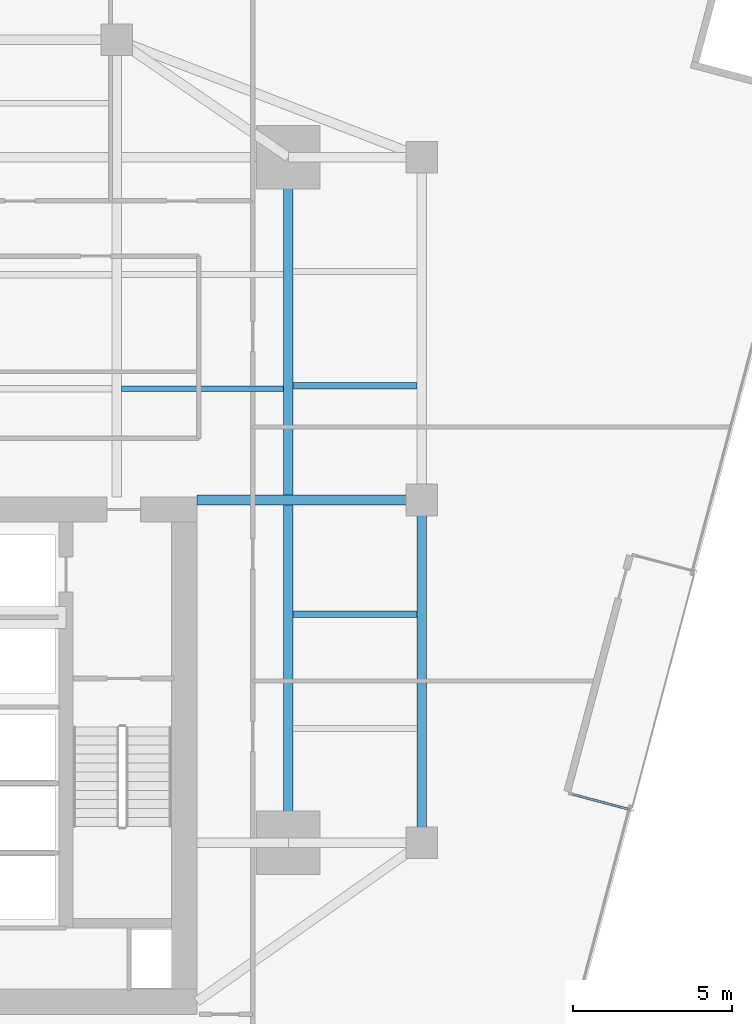
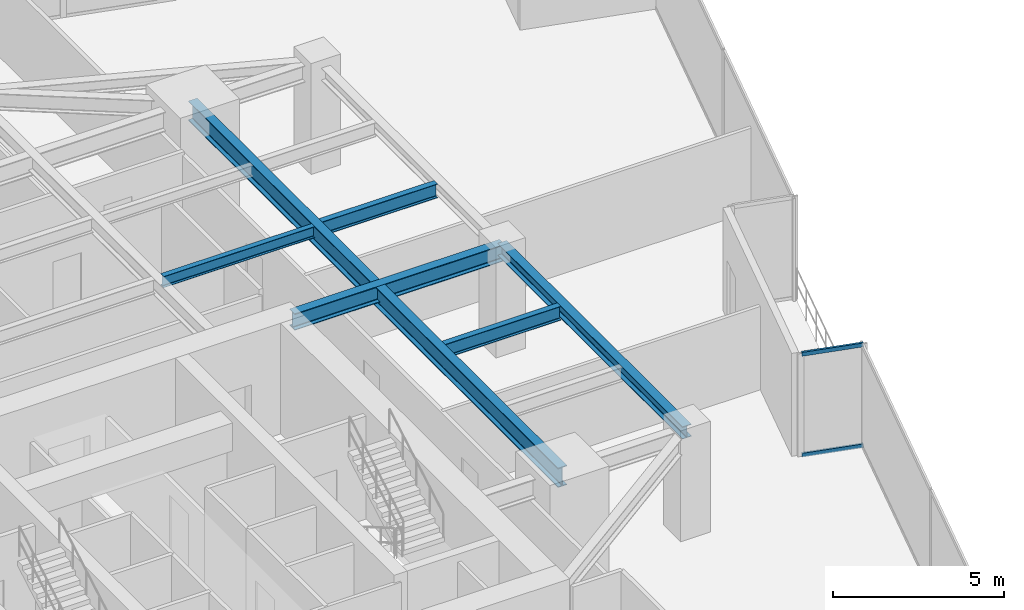
# One storey, part 12 of 27: 6 beams, 2 members, 1 element without a shape of its own.
"""IFC4 building model written with IfcOpenShell, lengths in metres."""

from ifc_helpers import new_model, si_unit, direction, frame, origin, origin_2d, place, context, subcontext, project, spatial, hollow_rectangle, i_section, extrude, source, transform, mapped, material, material_profile, profile_set, type_object, type_shapes, element, aggregate, save


model = new_model("IFC4")

# Units and contexts
model_context = context("Model", 3, precision=1e-05, world=origin(), true_north=direction((0.0, 1.0)))
body_context = subcontext(model_context, "Body", "Model", "MODEL_VIEW")
ifc_project = project(units=[si_unit("LENGTHUNIT", "METRE"), si_unit("AREAUNIT", "SQUARE_METRE"), si_unit("VOLUMEUNIT", "CUBIC_METRE"), si_unit("PLANEANGLEUNIT", "RADIAN"), si_unit("MASSUNIT", "GRAM", prefix="KILO")], contexts=[model_context])

# Site, building, storey
site_placement = place(None, origin())
site = spatial("IfcSite", under=ifc_project, at=site_placement, CompositionType="ELEMENT")
building_placement = place(site_placement, origin())
building = spatial("IfcBuilding", under=site, at=building_placement, Name="Krantzveldt Concourse Tower", CompositionType="ELEMENT")
storey_placement = place(building_placement, frame((0.0, 0.0, 101.89990234375)))
storey = spatial("IfcBuildingStorey", under=building, at=storey_placement, Name="L24", CompositionType="ELEMENT", Elevation=101.89990234375)

# Beams
ifc_material_1 = material(Name="Steel S355J2", Category="steel")
ifc_material_profile_1 = material_profile(ifc_material_1, i_section(OverallWidth=0.300048828125, OverallDepth=0.699951171875, WebThickness=0.01708984375, FlangeThickness=0.031982421875, FilletRadius=0.027099609375, at=origin_2d()), Name="Steel S355J2", Category="steel")
ifc_profile_set_1 = profile_set([ifc_material_profile_1], Name="Steel S355J2 - HEB 700")
beam_type_1 = type_object("IfcBeamType", Name="BM-B-HEB700", PredefinedType="BEAM", material=ifc_profile_set_1)
shared_shape_1 = source(origin(), body_context, "Body", "SweptSolid", [
    extrude(i_section(OverallWidth=0.300048828125, OverallDepth=0.699951171875, WebThickness=0.01708984375, FlangeThickness=0.031982421875, FilletRadius=0.027099609375, at=origin_2d()), origin(), (0.0, 0.0, 1.0), 21.60009765625),
])
type_shapes(beam_type_1, [shared_shape_1])
beam_1_placement = place(storey_placement, frame((46.800048828125, 15.89990234375, 3.320068359375), z_axis=(0.0, 1.0, 0.0), x_axis=(-1.0, 0.0, 0.0)))
element("IfcBeam", 1, at=beam_1_placement, inside=storey, type_object=beam_type_1, Name="L24 Tower Girder BG-ME", PredefinedType="BEAM", context=body_context, shape_type="MappedRepresentation", body=[
    mapped(shared_shape_1, transform((0.0, 0.0, 0.0), x_axis=(1.0, 0.0, 0.0), y_axis=(0.0, 1.0, 0.0), z_axis=(0.0, 0.0, 1.0), scale=1.0)),
])
ifc_material_2 = material(Name="Steel S355JR", Category="steel")
ifc_material_profile_2 = material_profile(ifc_material_2, i_section(OverallWidth=0.300048828125, OverallDepth=0.590087890625, WebThickness=0.012939453125, FlangeThickness=0.02490234375, FilletRadius=0.027099609375, at=origin_2d()), Name="Steel S355JR", Category="steel")
ifc_profile_set_2 = profile_set([ifc_material_profile_2], Name="Steel S355JR - HEA 600")
beam_type_2 = type_object("IfcBeamType", Name="BM-B-HEA600", PredefinedType="BEAM", material=ifc_profile_set_2)
shared_shape_2 = source(origin(), body_context, "Body", "SweptSolid", [
    extrude(i_section(OverallWidth=0.300048828125, OverallDepth=0.590087890625, WebThickness=0.012939453125, FlangeThickness=0.02490234375, FilletRadius=0.027099609375, at=origin_2d()), origin(), (0.0, 0.0, 1.0), 7.080078125),
])
type_shapes(beam_type_2, [shared_shape_2])
beam_2_placement = place(storey_placement, frame((43.919921875, 26.699951171875, 3.375), z_axis=(1.0, 0.0, 0.0), x_axis=(0.0, 1.0, 0.0)))
element("IfcBeam", 2, at=beam_2_placement, inside=storey, type_object=beam_type_2, Name="L24 Tower Girder BG-CE2", PredefinedType="BEAM", context=body_context, shape_type="MappedRepresentation", body=[
    mapped(shared_shape_2, transform((0.0, 0.0, 0.0), x_axis=(1.0, 0.0, 0.0), y_axis=(0.0, 1.0, 0.0), z_axis=(0.0, 0.0, 1.0), scale=1.0)),
])
ifc_material_profile_3 = material_profile(ifc_material_2, i_section(OverallWidth=0.300048828125, OverallDepth=0.43994140625, WebThickness=0.011474609375, FlangeThickness=0.02099609375, FilletRadius=0.027099609375, at=origin_2d()), Name="Steel S355JR", Category="steel")
ifc_profile_set_3 = profile_set([ifc_material_profile_3], Name="Steel S355JR - HEA 450")
beam_type_3 = type_object("IfcBeamType", Name="BM-SP-HEA450", PredefinedType="SPANDREL", material=ifc_profile_set_3)
shared_shape_3 = source(origin(), body_context, "Body", "SweptSolid", [
    extrude(i_section(OverallWidth=0.300048828125, OverallDepth=0.43994140625, WebThickness=0.011474609375, FlangeThickness=0.02099609375, FilletRadius=0.027099609375, at=origin_2d()), origin(), (0.0, 0.0, 1.0), 10.800048828125),
])
type_shapes(beam_type_3, [shared_shape_3])
beam_3_placement = place(storey_placement, frame((51.0, 26.699951171875, 3.4501953125), z_axis=(0.0, -1.0, 0.0), x_axis=(1.0, 0.0, 0.0)))
element("IfcBeam", 3, at=beam_3_placement, inside=storey, type_object=beam_type_3, Name="L24 Tower Girder SP-R07", PredefinedType="SPANDREL", context=body_context, shape_type="MappedRepresentation", body=[
    mapped(shared_shape_3, transform((0.0, 0.0, 0.0), x_axis=(1.0, 0.0, 0.0), y_axis=(0.0, 1.0, 0.0), z_axis=(0.0, 0.0, 1.0), scale=1.0)),
])
ifc_material_profile_4 = material_profile(ifc_material_2, i_section(OverallWidth=0.179931640625, OverallDepth=0.39990234375, WebThickness=0.008544921875, FlangeThickness=0.013427734375, FilletRadius=0.02099609375, at=origin_2d()), Name="Steel S355JR", Category="steel")
ifc_profile_set_4 = profile_set([ifc_material_profile_4], Name="Steel S355JR - IPE 400")
beam_type_4 = type_object("IfcBeamType", Name="BM-J-IPE400", PredefinedType="JOIST", material=ifc_profile_set_4)
shared_shape_4 = source(origin(), body_context, "Body", "SweptSolid", [
    extrude(i_section(OverallWidth=0.179931640625, OverallDepth=0.39990234375, WebThickness=0.008544921875, FlangeThickness=0.013427734375, FilletRadius=0.02099609375, at=origin_2d()), origin(), (0.0, 0.0, 1.0), 5.099853515625),
])
type_shapes(beam_type_4, [shared_shape_4])
beam_4_placement = place(storey_placement, frame((41.550048828125, 30.199951171875, 3.47021484375), z_axis=(1.0, 0.0, 0.0), x_axis=(0.0, 1.0, 0.0)))
element("IfcBeam", 4, at=beam_4_placement, inside=storey, type_object=beam_type_4, Name="L24 Secondary Floor Joist JN-E1", PredefinedType="JOIST", context=body_context, shape_type="MappedRepresentation", body=[
    mapped(shared_shape_4, transform((0.0, 0.0, 0.0), x_axis=(1.0, 0.0, 0.0), y_axis=(0.0, 1.0, 0.0), z_axis=(0.0, 0.0, 1.0), scale=1.0)),
])
ifc_material_profile_5 = material_profile(ifc_material_2, i_section(OverallWidth=0.199951171875, OverallDepth=0.5, WebThickness=0.01025390625, FlangeThickness=0.01611328125, FilletRadius=0.02099609375, at=origin_2d()), Name="Steel S355JR", Category="steel")
ifc_profile_set_5 = profile_set([ifc_material_profile_5], Name="Steel S355JR - IPE 500")
beam_type_5 = type_object("IfcBeamType", Name="BM-J-IPE500", PredefinedType="JOIST", material=ifc_profile_set_5)
shared_shape_5 = source(origin(), body_context, "Body", "SweptSolid", [
    extrude(i_section(OverallWidth=0.199951171875, OverallDepth=0.5, WebThickness=0.01025390625, FlangeThickness=0.01611328125, FilletRadius=0.02099609375, at=origin_2d()), origin(), (0.0, 0.0, 1.0), 3.900146484375),
])
type_shapes(beam_type_5, [shared_shape_5])
for number, where, z_axis, x_axis, name in (
    (5, (46.949951171875, 23.10009765625, 3.420166015625), (1.0, 0.0, 0.0), (0.0, 1.0, 0.0), "L24 Secondary Floor Joist JE-2"),
    (6, (46.949951171875, 30.300048828125, 3.420166015625), (1.0, 0.0, 0.0), (0.0, 1.0, 0.0), "L24 Secondary Floor Joist JE-3"),
):
    element("IfcBeam", number, at=place(storey_placement, frame(where, z_axis=z_axis, x_axis=x_axis)), inside=storey, type_object=beam_type_5, Name=name, PredefinedType="JOIST", context=body_context, shape_type="MappedRepresentation", body=[
        mapped(shared_shape_5, transform((0.0, 0.0, 0.0), x_axis=(1.0, 0.0, 0.0), y_axis=(0.0, 1.0, 0.0), z_axis=(0.0, 0.0, 1.0), scale=1.0)),
    ])

# Curtain wall, members
ifc_material_3 = material(Name="Anodised aluminium 6063-T6", Category="aluminium")
curtain_wall_type = type_object("IfcCurtainWallType", Name="CW6", PredefinedType="USERDEFINED", material=ifc_material_3)
curtain_wall_placement = place(storey_placement, origin())
curtain_wall = element("IfcCurtainWall", 7, at=curtain_wall_placement, inside=storey, type_object=curtain_wall_type, Name="CW-L24-TR08", ObjectType="UNITISED CURTAIN WALL", PredefinedType="USERDEFINED")
ifc_material_profile_6 = material_profile(ifc_material_3, hollow_rectangle(XDim=0.070068359375, YDim=0.139892578125, WallThickness=0.0048828125, at=origin_2d()), Name="Anodised aluminium 6063-T6", Category="aluminium")
ifc_profile_set_6 = profile_set([ifc_material_profile_6], Name="Anodised aluminium 6063-T6 - ALU-TRAN 140x70x5")
member_type = type_object("IfcMemberType", Name="CW-TRN-150", PredefinedType="USERDEFINED", material=ifc_profile_set_6)
shared_shape_6 = source(origin(), body_context, "Body", "SweptSolid", [
    extrude(hollow_rectangle(XDim=0.070068359375, YDim=0.139892578125, WallThickness=0.0048828125, at=origin_2d()), origin(), (0.0, 0.0, 1.0), 1.85986328125),
])
type_shapes(member_type, [shared_shape_6])
member_1_placement = place(storey_placement, frame((57.549560546875, 16.951171875, 0.03515625), z_axis=(-0.966478511145, 0.256747517018, 0.0), x_axis=(-0.256747517018, -0.966478511145, 0.0)))
member_1 = element("IfcMember", 8, at=member_1_placement, type_object=member_type, Name="CW-TERR transom 1.1", ObjectType="TRANSOM", PredefinedType="USERDEFINED", context=body_context, shape_type="MappedRepresentation", body=[
    mapped(shared_shape_6, transform((0.0, 0.0, 0.0), x_axis=(1.0, 0.0, 0.0), y_axis=(0.0, 1.0, 0.0), z_axis=(0.0, 0.0, 1.0), scale=1.0)),
])
member_2_placement = place(storey_placement, frame((57.549560546875, 16.951171875, 3.635009765625), z_axis=(-0.966478511145, 0.256747517018, 0.0), x_axis=(-0.256747517018, -0.966478511145, 0.0)))
member_2 = element("IfcMember", 9, at=member_2_placement, type_object=member_type, Name="CW-TERR transom 1.2", ObjectType="TRANSOM", PredefinedType="USERDEFINED", context=body_context, shape_type="MappedRepresentation", body=[
    mapped(shared_shape_6, transform((0.0, 0.0, 0.0), x_axis=(1.0, 0.0, 0.0), y_axis=(0.0, 1.0, 0.0), z_axis=(0.0, 0.0, 1.0), scale=1.0)),
])
aggregate(curtain_wall, [member_1, member_2])

save(model, "model.ifc")
